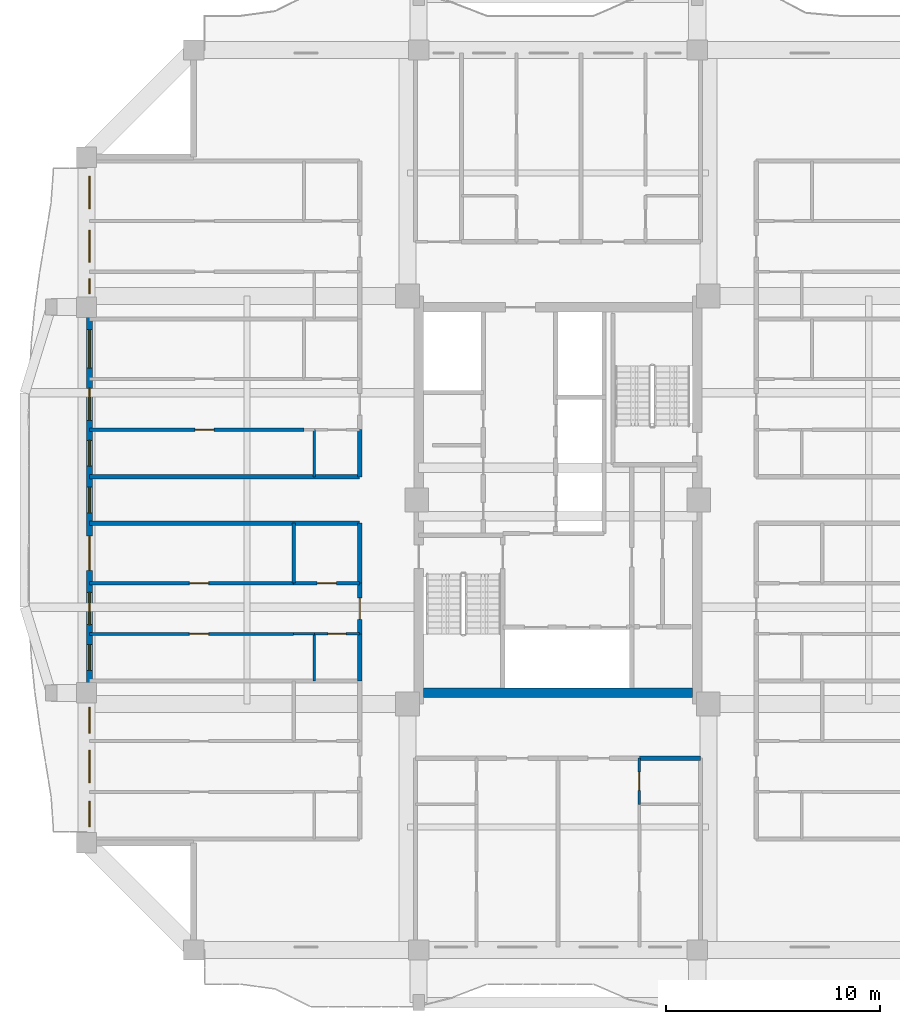
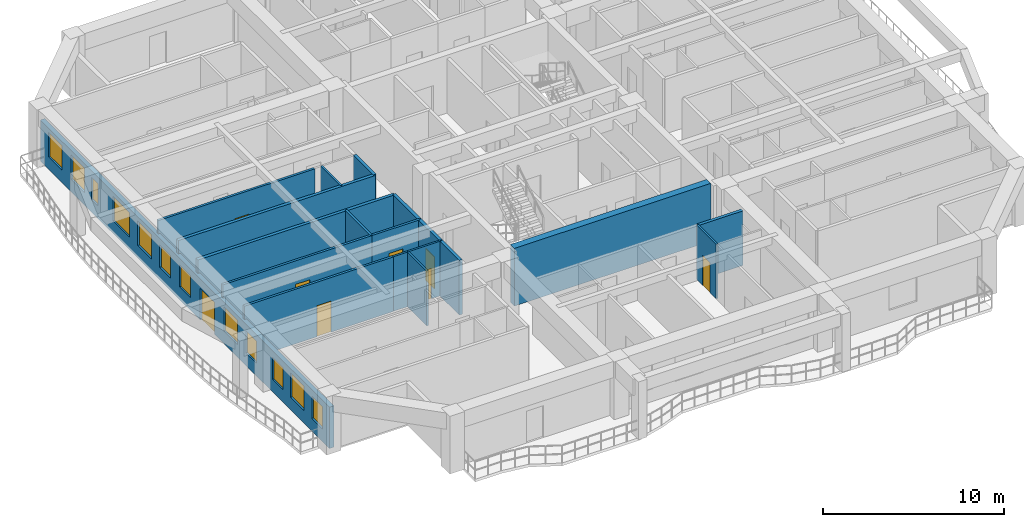
# One storey, part 3 of 15: 19 walls, 12 windows, 8 doors, 20 openings.
"""IFC4 building model written with IfcOpenShell, lengths in metres."""

from ifc_helpers import new_model, si_unit, direction, frame, frame_2d, origin, place, context, subcontext, project, spatial, rectangle, extrude, source, transform, mapped, material, layer, layer_set, type_object, element, fill, save


model = new_model("IFC4")

# Units and contexts
model_context = context("Model", 3, precision=1e-05, world=origin(), true_north=direction((0.0, 1.0)))
body_context = subcontext(model_context, "Body", "Model", "MODEL_VIEW")
ifc_project = project(units=[si_unit("LENGTHUNIT", "METRE"), si_unit("AREAUNIT", "SQUARE_METRE"), si_unit("VOLUMEUNIT", "CUBIC_METRE"), si_unit("PLANEANGLEUNIT", "RADIAN"), si_unit("MASSUNIT", "GRAM", prefix="KILO")], contexts=[model_context])

# Site, building, storey
site_placement = place(None, origin())
site = spatial("IfcSite", under=ifc_project, at=site_placement, CompositionType="ELEMENT")
building_placement = place(site_placement, origin())
building = spatial("IfcBuilding", under=site, at=building_placement, Name="Saelheon Loggia Tower", CompositionType="ELEMENT")
storey_placement = place(building_placement, frame((0.0, 0.0, 159.10009765625)))
storey = spatial("IfcBuildingStorey", under=building, at=storey_placement, Name="L50", CompositionType="ELEMENT", Elevation=159.10009765625)

# Wall
ifc_material_1 = material(Name="Concrete C45/55", Category="concrete")
ifc_layer_1 = layer(ifc_material_1, 0.449951171875)
ifc_layer_set_1 = layer_set([ifc_layer_1], Name="Concrete C45/55")
wall_type_1 = type_object("IfcWallType", Name="Wall_CoreShear_450", PredefinedType="SHEAR", material=ifc_layer_set_1)
wall_1_placement = place(storey_placement, frame((31.72509765625, 18.0, 0.0), z_axis=(0.0, 0.0, 1.0), x_axis=(1.0, 0.0, 0.0)))
element("IfcWall", 1, at=wall_1_placement, inside=storey, type_object=wall_type_1, Name="L50 Core Shear Wall South", PredefinedType="SHEAR", context=body_context, shape_type="SweptSolid", body=[
    extrude(rectangle(XDim=12.5498046875, YDim=0.449951171875, at=frame_2d((6.27490234375, 0.0))), origin(), (0.0, 0.0, 1.0), 3.89990234375),
])

# Wall, openings, windows, door
ifc_material_2 = material(Name="Architectural Precast Concrete C40/50", Category="concrete")
ifc_layer_2 = layer(ifc_material_2, 0.280029296875)
ifc_layer_set_2 = layer_set([ifc_layer_2], Name="Architectural Precast Concrete C40/50")
wall_type_2 = type_object("IfcWallType", Name="Wall_Ext_Loggia_280", PredefinedType="SOLIDWALL", material=ifc_layer_set_2)
wall_2_placement = place(storey_placement, frame((16.139892578125, 11.0, 0.0), z_axis=(0.0, 0.0, 1.0), x_axis=(0.0, 1.0, 0.0)))
wall_2 = element("IfcWall", 2, at=wall_2_placement, inside=storey, type_object=wall_type_2, Name="L50 West Loggia Inner Wall", PredefinedType="SOLIDWALL", context=body_context, shape_type="SweptSolid", body=[
    extrude(rectangle(XDim=32.0, YDim=0.280029296875, at=frame_2d((16.0, 0.0))), origin(), (0.0, 0.0, 1.0), 2.789794921875),
])
opening_1_placement = place(wall_2_placement, frame((0.74755859375, 0.0, 0.85009765625)))
opening_1 = element("IfcOpeningElement", 3, at=opening_1_placement, cuts=wall_2, Name="Opening WN-03", PredefinedType="OPENING", context=body_context, shape_type="SweptSolid", body=[
    extrude(rectangle(XDim=1.199951171875, YDim=1.5, at=frame_2d((0.60009765625, 0.75))), frame((0.0, 0.152099609375, 0.0), z_axis=(0.0, -1.0, 0.0), x_axis=(1.0, 0.0, 0.0)), (0.0, 0.0, 1.0), 0.303955078125),
])
opening_2_placement = place(wall_2_placement, frame((2.814697265625, 0.0, 0.85009765625)))
opening_2 = element("IfcOpeningElement", 4, at=opening_2_placement, cuts=wall_2, Name="Opening WN-02", PredefinedType="OPENING", context=body_context, shape_type="SweptSolid", body=[
    extrude(rectangle(XDim=1.5, YDim=1.64990234375, at=frame_2d((0.75, 0.824951171875))), frame((0.0, 0.152099609375, 0.0), z_axis=(0.0, -1.0, 0.0), x_axis=(1.0, 0.0, 0.0)), (0.0, 0.0, 1.0), 0.303955078125),
])
opening_3_placement = place(wall_2_placement, frame((5.1171875, 0.0, 0.85009765625)))
opening_3 = element("IfcOpeningElement", 5, at=opening_3_placement, cuts=wall_2, Name="Opening WN-03", PredefinedType="OPENING", context=body_context, shape_type="SweptSolid", body=[
    extrude(rectangle(XDim=1.199951171875, YDim=1.5, at=frame_2d((0.60009765625, 0.75))), frame((0.0, 0.152099609375, 0.0), z_axis=(0.0, -1.0, 0.0), x_axis=(1.0, 0.0, 0.0)), (0.0, 0.0, 1.0), 0.303955078125),
])
opening_4_placement = place(wall_2_placement, frame((8.050048828125, 0.0, 0.85009765625)))
opening_4 = element("IfcOpeningElement", 6, at=opening_4_placement, cuts=wall_2, Name="Opening WN-03", PredefinedType="OPENING", context=body_context, shape_type="SweptSolid", body=[
    extrude(rectangle(XDim=1.199951171875, YDim=1.5, at=frame_2d((0.60009765625, 0.75))), frame((0.0, 0.152099609375, 0.0), z_axis=(0.0, -1.0, 0.0), x_axis=(1.0, 0.0, 0.0)), (0.0, 0.0, 1.0), 0.303955078125),
])
opening_5_placement = place(wall_2_placement, frame((10.184814453125, 0.0, 0.85009765625)))
opening_5 = element("IfcOpeningElement", 7, at=opening_5_placement, cuts=wall_2, Name="Opening WN-02", PredefinedType="OPENING", context=body_context, shape_type="SweptSolid", body=[
    extrude(rectangle(XDim=1.5, YDim=1.64990234375, at=frame_2d((0.75, 0.824951171875))), frame((0.0, 0.152099609375, 0.0), z_axis=(0.0, -1.0, 0.0), x_axis=(1.0, 0.0, 0.0)), (0.0, 0.0, 1.0), 0.303955078125),
])
opening_6_placement = place(wall_2_placement, frame((12.7197265625, 0.0, 0.0)))
opening_6 = element("IfcOpeningElement", 8, at=opening_6_placement, cuts=wall_2, Name="Opening DLG-1", PredefinedType="OPENING", context=body_context, shape_type="SweptSolid", body=[
    extrude(rectangle(XDim=1.60009765625, YDim=2.14990234375, at=frame_2d((0.800048828125, 1.074951171875))), frame((0.0, 0.152099609375, 0.0), z_axis=(0.0, -1.0, 0.0), x_axis=(1.0, 0.0, 0.0)), (0.0, 0.0, 1.0), 0.303955078125),
])
opening_7_placement = place(wall_2_placement, frame((15.39990234375, 0.0, 0.85009765625)))
opening_7 = element("IfcOpeningElement", 9, at=opening_7_placement, cuts=wall_2, Name="Opening WN-03", PredefinedType="OPENING", context=body_context, shape_type="SweptSolid", body=[
    extrude(rectangle(XDim=1.199951171875, YDim=1.5, at=frame_2d((0.60009765625, 0.75))), frame((0.0, 0.152099609375, 0.0), z_axis=(0.0, -1.0, 0.0), x_axis=(1.0, 0.0, 0.0)), (0.0, 0.0, 1.0), 0.303955078125),
])
opening_8_placement = place(wall_2_placement, frame((17.580078125, 0.0, 0.85009765625)))
opening_8 = element("IfcOpeningElement", 10, at=opening_8_placement, cuts=wall_2, Name="Opening WN-03", PredefinedType="OPENING", context=body_context, shape_type="SweptSolid", body=[
    extrude(rectangle(XDim=1.199951171875, YDim=1.5, at=frame_2d((0.60009765625, 0.75))), frame((0.0, 0.152099609375, 0.0), z_axis=(0.0, -1.0, 0.0), x_axis=(1.0, 0.0, 0.0)), (0.0, 0.0, 1.0), 0.303955078125),
])
opening_9_placement = place(wall_2_placement, frame((19.714599609375, 0.0, 0.85009765625)))
opening_9 = element("IfcOpeningElement", 11, at=opening_9_placement, cuts=wall_2, Name="Opening WN-02", PredefinedType="OPENING", context=body_context, shape_type="SweptSolid", body=[
    extrude(rectangle(XDim=1.5, YDim=1.64990234375, at=frame_2d((0.75, 0.824951171875))), frame((0.0, 0.152099609375, 0.0), z_axis=(0.0, -1.0, 0.0), x_axis=(1.0, 0.0, 0.0)), (0.0, 0.0, 1.0), 0.303955078125),
])
opening_10_placement = place(wall_2_placement, frame((22.149658203125, 0.0, 0.85009765625)))
opening_10 = element("IfcOpeningElement", 12, at=opening_10_placement, cuts=wall_2, Name="Opening WN-01", PredefinedType="OPENING", context=body_context, shape_type="SweptSolid", body=[
    extrude(rectangle(XDim=1.800048828125, YDim=1.64990234375, at=frame_2d((0.89990234375, 0.824951171875))), frame((0.0, 0.152099609375, 0.0), z_axis=(0.0, -1.0, 0.0), x_axis=(1.0, 0.0, 0.0)), (0.0, 0.0, 1.0), 0.303955078125),
])
opening_11_placement = place(wall_2_placement, frame((25.632568359375, 0.0, 0.85009765625)))
opening_11 = element("IfcOpeningElement", 13, at=opening_11_placement, cuts=wall_2, Name="Opening WN-06", PredefinedType="OPENING", context=body_context, shape_type="SweptSolid", body=[
    extrude(rectangle(XDim=0.699951171875, YDim=1.5, at=frame_2d((0.35009765625, 0.75))), frame((0.0, 0.152099609375, 0.0), z_axis=(0.0, -1.0, 0.0), x_axis=(1.0, 0.0, 0.0)), (0.0, 0.0, 1.0), 0.303955078125),
])
opening_12_placement = place(wall_2_placement, frame((27.084716796875, 0.0, 0.85009765625)))
opening_12 = element("IfcOpeningElement", 14, at=opening_12_placement, cuts=wall_2, Name="Opening WN-02", PredefinedType="OPENING", context=body_context, shape_type="SweptSolid", body=[
    extrude(rectangle(XDim=1.5, YDim=1.64990234375, at=frame_2d((0.75, 0.824951171875))), frame((0.0, 0.152099609375, 0.0), z_axis=(0.0, -1.0, 0.0), x_axis=(1.0, 0.0, 0.0)), (0.0, 0.0, 1.0), 0.303955078125),
])
opening_13_placement = place(wall_2_placement, frame((29.602294921875, 0.0, 0.85009765625)))
opening_13 = element("IfcOpeningElement", 15, at=opening_13_placement, cuts=wall_2, Name="Opening WN-02", PredefinedType="OPENING", context=body_context, shape_type="SweptSolid", body=[
    extrude(rectangle(XDim=1.5, YDim=1.64990234375, at=frame_2d((0.75, 0.824951171875))), frame((0.0, 0.152099609375, 0.0), z_axis=(0.0, -1.0, 0.0), x_axis=(1.0, 0.0, 0.0)), (0.0, 0.0, 1.0), 0.303955078125),
])
ifc_material_3 = material(Name="Thermal-Break Aluminium and Triple Low-E Glass", Category="aluminium")
window_type_1 = type_object("IfcWindowType", Name="Win_Dwelling_1800x1650", PartitioningType="SINGLE_PANEL", PredefinedType="WINDOW", material=ifc_material_3)
shared_shape_1 = source(origin(), body_context, "Body", "SweptSolid", [
    extrude(rectangle(XDim=1.800048828125, YDim=1.64990234375, at=frame_2d((0.89990234375, 0.824951171875))), frame((0.0, 0.030029296875, 0.0), z_axis=(0.0, -1.0, 0.0), x_axis=(1.0, 0.0, 0.0)), (0.0, 0.0, 1.0), 0.06005859375),
])
window_1_placement = place(opening_10_placement, origin())
window_1 = element("IfcWindow", 16, at=window_1_placement, inside=storey, type_object=window_type_1, Name="L50 W Dwelling Window 10", OverallHeight=1.64990234375, OverallWidth=1.800048828125, PartitioningType="SINGLE_PANEL", PredefinedType="WINDOW", context=body_context, shape_type="MappedRepresentation", body=[
    mapped(shared_shape_1, transform((0.0, 0.0, 0.0), scale=1.0)),
])
fill(opening_10, window_1)
window_type_2 = type_object("IfcWindowType", Name="Win_Slot_700x1500", PartitioningType="SINGLE_PANEL", PredefinedType="WINDOW", material=ifc_material_3)
shared_shape_2 = source(origin(), body_context, "Body", "SweptSolid", [
    extrude(rectangle(XDim=0.699951171875, YDim=1.5, at=frame_2d((0.35009765625, 0.75))), frame((0.0, 0.030029296875, 0.0), z_axis=(0.0, -1.0, 0.0), x_axis=(1.0, 0.0, 0.0)), (0.0, 0.0, 1.0), 0.06005859375),
])
window_2_placement = place(opening_11_placement, origin())
window_2 = element("IfcWindow", 17, at=window_2_placement, inside=storey, type_object=window_type_2, Name="L50 W Dwelling Window 11", OverallHeight=1.5, OverallWidth=0.699951171875, PartitioningType="SINGLE_PANEL", PredefinedType="WINDOW", context=body_context, shape_type="MappedRepresentation", body=[
    mapped(shared_shape_2, transform((0.0, 0.0, 0.0), scale=1.0)),
])
fill(opening_11, window_2)
window_type_3 = type_object("IfcWindowType", Name="Win_Bedroom_1200x1500", PartitioningType="SINGLE_PANEL", PredefinedType="WINDOW", material=ifc_material_3)
shared_shape_3 = source(origin(), body_context, "Body", "SweptSolid", [
    extrude(rectangle(XDim=1.199951171875, YDim=1.5, at=frame_2d((0.60009765625, 0.75))), frame((0.0, 0.030029296875, 0.0), z_axis=(0.0, -1.0, 0.0), x_axis=(1.0, 0.0, 0.0)), (0.0, 0.0, 1.0), 0.06005859375),
])
window_3_placement = place(opening_1_placement, origin())
window_3 = element("IfcWindow", 18, at=window_3_placement, inside=storey, type_object=window_type_3, Name="L50 W Dwelling Window 1", OverallHeight=1.5, OverallWidth=1.199951171875, PartitioningType="SINGLE_PANEL", PredefinedType="WINDOW", context=body_context, shape_type="MappedRepresentation", body=[
    mapped(shared_shape_3, transform((0.0, 0.0, 0.0), scale=1.0)),
])
fill(opening_1, window_3)
window_4_placement = place(opening_3_placement, origin())
window_4 = element("IfcWindow", 19, at=window_4_placement, inside=storey, type_object=window_type_3, Name="L50 W Dwelling Window 3", OverallHeight=1.5, OverallWidth=1.199951171875, PartitioningType="SINGLE_PANEL", PredefinedType="WINDOW", context=body_context, shape_type="MappedRepresentation", body=[
    mapped(shared_shape_3, transform((0.0, 0.0, 0.0), scale=1.0)),
])
fill(opening_3, window_4)
window_5_placement = place(opening_4_placement, origin())
window_5 = element("IfcWindow", 20, at=window_5_placement, inside=storey, type_object=window_type_3, Name="L50 W Dwelling Window 4", OverallHeight=1.5, OverallWidth=1.199951171875, PartitioningType="SINGLE_PANEL", PredefinedType="WINDOW", context=body_context, shape_type="MappedRepresentation", body=[
    mapped(shared_shape_3, transform((0.0, 0.0, 0.0), scale=1.0)),
])
fill(opening_4, window_5)
window_6_placement = place(opening_7_placement, origin())
window_6 = element("IfcWindow", 21, at=window_6_placement, inside=storey, type_object=window_type_3, Name="L50 W Dwelling Window 7", OverallHeight=1.5, OverallWidth=1.199951171875, PartitioningType="SINGLE_PANEL", PredefinedType="WINDOW", context=body_context, shape_type="MappedRepresentation", body=[
    mapped(shared_shape_3, transform((0.0, 0.0, 0.0), scale=1.0)),
])
fill(opening_7, window_6)
window_7_placement = place(opening_8_placement, origin())
window_7 = element("IfcWindow", 22, at=window_7_placement, inside=storey, type_object=window_type_3, Name="L50 W Dwelling Window 8", OverallHeight=1.5, OverallWidth=1.199951171875, PartitioningType="SINGLE_PANEL", PredefinedType="WINDOW", context=body_context, shape_type="MappedRepresentation", body=[
    mapped(shared_shape_3, transform((0.0, 0.0, 0.0), scale=1.0)),
])
fill(opening_8, window_7)
ifc_material_4 = material(Name="Thermal-Break Aluminium Sliding Glazed Door", Category="aluminium")
door_type_1 = type_object("IfcDoorType", Name="Door_LoggiaSlide_1600", OperationType="SLIDING_TO_LEFT", PredefinedType="DOOR", material=ifc_material_4)
shared_shape_4 = source(origin(), body_context, "Body", "SweptSolid", [
    extrude(rectangle(XDim=1.60009765625, YDim=2.14990234375, at=frame_2d((0.800048828125, 1.074951171875))), frame((0.0, 0.02490234375, 0.0), z_axis=(0.0, -1.0, 0.0), x_axis=(1.0, 0.0, 0.0)), (0.0, 0.0, 1.0), 0.050048828125),
])
door_1_placement = place(opening_6_placement, origin())
door_1 = element("IfcDoor", 23, at=door_1_placement, inside=storey, type_object=door_type_1, Name="L50 W Loggia Access Door", OperationType="SLIDING_TO_LEFT", OverallHeight=2.14990234375, OverallWidth=1.60009765625, PredefinedType="DOOR", context=body_context, shape_type="MappedRepresentation", body=[
    mapped(shared_shape_4, transform((0.0, 0.0, 0.0), scale=1.0)),
])
fill(opening_6, door_1)
window_type_4 = type_object("IfcWindowType", Name="Win_Dwelling_1500x1650", PartitioningType="SINGLE_PANEL", PredefinedType="WINDOW", material=ifc_material_3)
shared_shape_5 = source(origin(), body_context, "Body", "SweptSolid", [
    extrude(rectangle(XDim=1.5, YDim=1.64990234375, at=frame_2d((0.75, 0.824951171875))), frame((0.0, 0.030029296875, 0.0), z_axis=(0.0, -1.0, 0.0), x_axis=(1.0, 0.0, 0.0)), (0.0, 0.0, 1.0), 0.06005859375),
])
window_8_placement = place(opening_2_placement, origin())
window_8 = element("IfcWindow", 24, at=window_8_placement, inside=storey, type_object=window_type_4, Name="L50 W Dwelling Window 2", OverallHeight=1.64990234375, OverallWidth=1.5, PartitioningType="SINGLE_PANEL", PredefinedType="WINDOW", context=body_context, shape_type="MappedRepresentation", body=[
    mapped(shared_shape_5, transform((0.0, 0.0, 0.0), scale=1.0)),
])
fill(opening_2, window_8)
window_9_placement = place(opening_5_placement, origin())
window_9 = element("IfcWindow", 25, at=window_9_placement, inside=storey, type_object=window_type_4, Name="L50 W Dwelling Window 5", OverallHeight=1.64990234375, OverallWidth=1.5, PartitioningType="SINGLE_PANEL", PredefinedType="WINDOW", context=body_context, shape_type="MappedRepresentation", body=[
    mapped(shared_shape_5, transform((0.0, 0.0, 0.0), scale=1.0)),
])
fill(opening_5, window_9)
window_10_placement = place(opening_9_placement, origin())
window_10 = element("IfcWindow", 26, at=window_10_placement, inside=storey, type_object=window_type_4, Name="L50 W Dwelling Window 9", OverallHeight=1.64990234375, OverallWidth=1.5, PartitioningType="SINGLE_PANEL", PredefinedType="WINDOW", context=body_context, shape_type="MappedRepresentation", body=[
    mapped(shared_shape_5, transform((0.0, 0.0, 0.0), scale=1.0)),
])
fill(opening_9, window_10)
window_11_placement = place(opening_12_placement, origin())
window_11 = element("IfcWindow", 27, at=window_11_placement, inside=storey, type_object=window_type_4, Name="L50 W Dwelling Window 12", OverallHeight=1.64990234375, OverallWidth=1.5, PartitioningType="SINGLE_PANEL", PredefinedType="WINDOW", context=body_context, shape_type="MappedRepresentation", body=[
    mapped(shared_shape_5, transform((0.0, 0.0, 0.0), scale=1.0)),
])
fill(opening_12, window_11)
window_12_placement = place(opening_13_placement, origin())
window_12 = element("IfcWindow", 28, at=window_12_placement, inside=storey, type_object=window_type_4, Name="L50 W Dwelling Window 13", OverallHeight=1.64990234375, OverallWidth=1.5, PartitioningType="SINGLE_PANEL", PredefinedType="WINDOW", context=body_context, shape_type="MappedRepresentation", body=[
    mapped(shared_shape_5, transform((0.0, 0.0, 0.0), scale=1.0)),
])
fill(opening_13, window_12)

# Wall
ifc_material_5 = material(Name="Lightweight Autoclaved Aerated Concrete Block and Acoustic Gypsum", Category="concrete")
ifc_layer_3 = layer(ifc_material_5, 0.14990234375)
ifc_layer_set_3 = layer_set([ifc_layer_3], Name="Lightweight Autoclaved Aerated Concrete Block and Acoustic Gypsum")
wall_type_3 = type_object("IfcWallType", Name="Wall_Part_150", PredefinedType="PARTITIONING", material=ifc_layer_set_3)
wall_3_placement = place(storey_placement, frame((25.669921875, 23.119384765625, 0.0), z_axis=(0.0, 0.0, 1.0), x_axis=(0.0, 1.0, 0.0)))
element("IfcWall", 29, at=wall_3_placement, inside=storey, type_object=wall_type_3, Name="L50 WS Partition V18", PredefinedType="PARTITIONING", context=body_context, shape_type="SweptSolid", body=[
    extrude(rectangle(XDim=2.800537109375, YDim=0.14990234375, at=frame_2d((1.400390625, 0.0))), origin(), (0.0, 0.0, 1.0), 3.68994140625),
])

# Wall, opening, door
wall_4_placement = place(storey_placement, frame((25.669921875, 20.75, 0.0), z_axis=(0.0, 0.0, 1.0), x_axis=(-1.0, 0.0, 0.0)))
wall_4 = element("IfcWall", 30, at=wall_4_placement, inside=storey, type_object=wall_type_3, Name="L50 WS Partition U21", PredefinedType="PARTITIONING", context=body_context, shape_type="SweptSolid", body=[
    extrude(rectangle(XDim=9.52001953125, YDim=0.14990234375, at=frame_2d((4.760009765625, 0.0))), origin(), (0.0, 0.0, 1.0), 3.68994140625),
])
opening_14_placement = place(wall_4_placement, frame((3.970703125, 0.0, 0.0)))
opening_14 = element("IfcOpeningElement", 31, at=opening_14_placement, cuts=wall_4, Name="Opening D-IN2", PredefinedType="OPENING", context=body_context, shape_type="SweptSolid", body=[
    extrude(rectangle(XDim=0.89990234375, YDim=2.10009765625, at=frame_2d((0.449951171875, 1.050048828125))), frame((0.0, 0.0869140625, 0.0), z_axis=(0.0, -1.0, 0.0), x_axis=(1.0, 0.0, 0.0)), (0.0, 0.0, 1.0), 0.173828125),
])
ifc_material_6 = material(Name="Engineered Oak Flush Door", Category="timber")
door_type_2 = type_object("IfcDoorType", Name="Door_Int_900", OperationType="NOTDEFINED", PredefinedType="DOOR", material=ifc_material_6)
shared_shape_6 = source(origin(), body_context, "Body", "SweptSolid", [
    extrude(rectangle(XDim=0.89990234375, YDim=2.10009765625, at=frame_2d((0.449951171875, 1.050048828125))), frame((0.0, 0.02490234375, 0.0), z_axis=(0.0, -1.0, 0.0), x_axis=(1.0, 0.0, 0.0)), (0.0, 0.0, 1.0), 0.050048828125),
])
door_2_placement = place(opening_14_placement, origin())
door_2 = element("IfcDoor", 32, at=door_2_placement, inside=storey, type_object=door_type_2, Name="Unit U06 Kitchen Door", OperationType="SINGLE_SWING_LEFT", OverallHeight=2.10009765625, OverallWidth=0.89990234375, PredefinedType="DOOR", context=body_context, shape_type="MappedRepresentation", body=[
    mapped(shared_shape_6, transform((0.0, 0.0, 0.0), scale=1.0)),
])
fill(opening_14, door_2)

wall_5_placement = place(storey_placement, frame((28.75, 23.119384765625, 0.0), z_axis=(0.0, 0.0, 1.0), x_axis=(-1.0, 0.0, 0.0)))
wall_5 = element("IfcWall", 33, at=wall_5_placement, inside=storey, type_object=wall_type_3, Name="L50 WS Partition U22", PredefinedType="PARTITIONING", context=body_context, shape_type="SweptSolid", body=[
    extrude(rectangle(XDim=3.080078125, YDim=0.14990234375, at=frame_2d((1.5400390625, 0.0))), origin(), (0.0, 0.0, 1.0), 3.68994140625),
])
opening_15_placement = place(wall_5_placement, frame((1.090087890625, 0.0, 0.0)))
opening_15 = element("IfcOpeningElement", 34, at=opening_15_placement, cuts=wall_5, Name="Opening D-IN2", PredefinedType="OPENING", context=body_context, shape_type="SweptSolid", body=[
    extrude(rectangle(XDim=0.89990234375, YDim=2.10009765625, at=frame_2d((0.449951171875, 1.050048828125))), frame((0.0, 0.0869140625, 0.0), z_axis=(0.0, -1.0, 0.0), x_axis=(1.0, 0.0, 0.0)), (0.0, 0.0, 1.0), 0.173828125),
])
door_3_placement = place(opening_15_placement, origin())
door_3 = element("IfcDoor", 35, at=door_3_placement, inside=storey, type_object=door_type_2, Name="Unit U06 Dressing Closet Door", OperationType="SINGLE_SWING_RIGHT", OverallHeight=2.10009765625, OverallWidth=0.89990234375, PredefinedType="DOOR", context=body_context, shape_type="MappedRepresentation", body=[
    mapped(shared_shape_6, transform((0.0, 0.0, 0.0), scale=1.0)),
])
fill(opening_15, door_3)

wall_6_placement = place(storey_placement, frame((25.669921875, 23.119384765625, 0.0), z_axis=(0.0, 0.0, 1.0), x_axis=(-1.0, 0.0, 0.0)))
wall_6 = element("IfcWall", 36, at=wall_6_placement, inside=storey, type_object=wall_type_3, Name="L50 WS Partition U23", PredefinedType="PARTITIONING", context=body_context, shape_type="SweptSolid", body=[
    extrude(rectangle(XDim=9.52001953125, YDim=0.14990234375, at=frame_2d((4.760009765625, 0.0))), origin(), (0.0, 0.0, 1.0), 3.68994140625),
])
opening_16_placement = place(wall_6_placement, frame((3.970703125, 0.0, 0.0)))
opening_16 = element("IfcOpeningElement", 37, at=opening_16_placement, cuts=wall_6, Name="Opening D-IN2", PredefinedType="OPENING", context=body_context, shape_type="SweptSolid", body=[
    extrude(rectangle(XDim=0.89990234375, YDim=2.10009765625, at=frame_2d((0.449951171875, 1.050048828125))), frame((0.0, 0.0869140625, 0.0), z_axis=(0.0, -1.0, 0.0), x_axis=(1.0, 0.0, 0.0)), (0.0, 0.0, 1.0), 0.173828125),
])
door_4_placement = place(opening_16_placement, origin())
door_4 = element("IfcDoor", 38, at=door_4_placement, inside=storey, type_object=door_type_2, Name="Unit U06 Bedroom 1 Door", OperationType="SINGLE_SWING_LEFT", OverallHeight=2.10009765625, OverallWidth=0.89990234375, PredefinedType="DOOR", context=body_context, shape_type="MappedRepresentation", body=[
    mapped(shared_shape_6, transform((0.0, 0.0, 0.0), scale=1.0)),
])
fill(opening_16, door_4)

wall_7_placement = place(storey_placement, frame((26.14990234375, 30.280029296875, 0.0), z_axis=(0.0, 0.0, 1.0), x_axis=(-1.0, 0.0, 0.0)))
wall_7 = element("IfcWall", 39, at=wall_7_placement, inside=storey, type_object=wall_type_3, Name="L50 WN Partition U10", PredefinedType="PARTITIONING", context=body_context, shape_type="SweptSolid", body=[
    extrude(rectangle(XDim=10.0, YDim=0.14990234375, at=frame_2d((5.0, 0.0))), origin(), (0.0, 0.0, 1.0), 3.68994140625),
])
opening_17_placement = place(wall_7_placement, frame((4.19091796875, 0.0, 0.0)))
opening_17 = element("IfcOpeningElement", 40, at=opening_17_placement, cuts=wall_7, Name="Opening D-IN2", PredefinedType="OPENING", context=body_context, shape_type="SweptSolid", body=[
    extrude(rectangle(XDim=0.89990234375, YDim=2.10009765625, at=frame_2d((0.449951171875, 1.050048828125))), frame((0.0, 0.0869140625, 0.0), z_axis=(0.0, -1.0, 0.0), x_axis=(1.0, 0.0, 0.0)), (0.0, 0.0, 1.0), 0.173828125),
])
door_5_placement = place(opening_17_placement, origin())
door_5 = element("IfcDoor", 41, at=door_5_placement, inside=storey, type_object=door_type_2, Name="Unit U07 Kitchen Door", OperationType="SINGLE_SWING_RIGHT", OverallHeight=2.10009765625, OverallWidth=0.89990234375, PredefinedType="DOOR", context=body_context, shape_type="MappedRepresentation", body=[
    mapped(shared_shape_6, transform((0.0, 0.0, 0.0), scale=1.0)),
])
fill(opening_17, door_5)

# Walls
ifc_material_7 = material(Name="Double Acoustic Stud and Fireboard Partition", Category="gypsum")
ifc_layer_4 = layer(ifc_material_7, 0.199951171875)
ifc_layer_set_4 = layer_set([ifc_layer_4], Name="Double Acoustic Stud and Fireboard Partition")
wall_type_4 = type_object("IfcWallType", Name="Wall_Party_200", PredefinedType="PARTITIONING", material=ifc_layer_set_4)
wall_8_placement = place(storey_placement, frame((41.800048828125, 14.949951171875, 0.0), z_axis=(0.0, 0.0, 1.0), x_axis=(1.0, 0.0, 0.0)))
element("IfcWall", 42, at=wall_8_placement, inside=storey, type_object=wall_type_4, Name="L50 S Partition V11", PredefinedType="PARTITIONING", context=body_context, shape_type="SweptSolid", body=[
    extrude(rectangle(XDim=2.849853515625, YDim=0.199951171875, at=frame_2d((1.4248046875, 0.0))), origin(), (0.0, 0.0, 1.0), 3.68994140625),
])
wall_9_placement = place(storey_placement, frame((28.75, 25.919921875, 0.0), z_axis=(0.0, 0.0, 1.0), x_axis=(-1.0, 0.0, 0.0)))
element("IfcWall", 43, at=wall_9_placement, inside=storey, type_object=wall_type_4, Name="L50 WS Partition U02", PredefinedType="PARTITIONING", context=body_context, shape_type="SweptSolid", body=[
    extrude(rectangle(XDim=12.60009765625, YDim=0.199951171875, at=frame_2d((6.300048828125, 0.0))), origin(), (0.0, 0.0, 1.0), 3.68994140625),
])
wall_10_placement = place(storey_placement, frame((28.75, 18.550048828125, 0.0), z_axis=(0.0, 0.0, 1.0), x_axis=(0.0, 1.0, 0.0)))
element("IfcWall", 44, at=wall_10_placement, inside=storey, type_object=wall_type_4, Name="L50 WS Partition V14", PredefinedType="PARTITIONING", context=body_context, shape_type="SweptSolid", body=[
    extrude(rectangle(XDim=2.199951171875, YDim=0.199951171875, at=frame_2d((1.10009765625, 0.0))), origin(), (0.0, 0.0, 1.0), 3.68994140625),
])

# Wall, opening, door
wall_11_placement = place(storey_placement, frame((28.75, 20.75, 0.0), z_axis=(0.0, 0.0, 1.0), x_axis=(0.0, 1.0, 0.0)))
wall_11 = element("IfcWall", 45, at=wall_11_placement, inside=storey, type_object=wall_type_4, Name="L50 WS Partition V15", PredefinedType="PARTITIONING", context=body_context, shape_type="SweptSolid", body=[
    extrude(rectangle(XDim=2.369384765625, YDim=0.199951171875, at=frame_2d((1.1845703125, 0.0))), origin(), (0.0, 0.0, 1.0), 3.68994140625),
])
opening_18_placement = place(wall_11_placement, frame((0.684814453125, 0.0, 0.0)))
opening_18 = element("IfcOpeningElement", 46, at=opening_18_placement, cuts=wall_11, Name="Opening D-FD1", PredefinedType="OPENING", context=body_context, shape_type="SweptSolid", body=[
    extrude(rectangle(XDim=1.0, YDim=2.14990234375, at=frame_2d((0.5, 1.074951171875))), frame((0.0, 0.112060546875, 0.0), z_axis=(0.0, -1.0, 0.0), x_axis=(1.0, 0.0, 0.0)), (0.0, 0.0, 1.0), 0.223876953125),
])
ifc_material_8 = material(Name="Fire-Rated Engineered Timber Entrance Door", Category="wood")
door_type_3 = type_object("IfcDoorType", Name="Door_Flat_FD30S", OperationType="NOTDEFINED", PredefinedType="DOOR", material=ifc_material_8)
shared_shape_7 = source(origin(), body_context, "Body", "SweptSolid", [
    extrude(rectangle(XDim=1.0, YDim=2.14990234375, at=frame_2d((0.5, 1.074951171875))), frame((0.0, 0.02490234375, 0.0), z_axis=(0.0, -1.0, 0.0), x_axis=(1.0, 0.0, 0.0)), (0.0, 0.0, 1.0), 0.050048828125),
])
door_6_placement = place(opening_18_placement, origin())
door_6 = element("IfcDoor", 47, at=door_6_placement, inside=storey, type_object=door_type_3, Name="Unit U06 Entrance Door", OperationType="SINGLE_SWING_LEFT", OverallHeight=2.14990234375, OverallWidth=1.0, PredefinedType="DOOR", context=body_context, shape_type="MappedRepresentation", body=[
    mapped(shared_shape_7, transform((0.0, 0.0, 0.0), scale=1.0)),
])
fill(opening_18, door_6)

# Walls
wall_12_placement = place(storey_placement, frame((28.75, 23.119384765625, 0.0), z_axis=(0.0, 0.0, 1.0), x_axis=(0.0, 1.0, 0.0)))
element("IfcWall", 48, at=wall_12_placement, inside=storey, type_object=wall_type_4, Name="L50 WS Partition V16", PredefinedType="PARTITIONING", context=body_context, shape_type="SweptSolid", body=[
    extrude(rectangle(XDim=2.800537109375, YDim=0.199951171875, at=frame_2d((1.400390625, 0.0))), origin(), (0.0, 0.0, 1.0), 3.68994140625),
])
wall_13_placement = place(storey_placement, frame((28.75, 28.080078125, 0.0), z_axis=(0.0, 0.0, 1.0), x_axis=(-1.0, 0.0, 0.0)))
element("IfcWall", 49, at=wall_13_placement, inside=storey, type_object=wall_type_4, Name="L50 WN Partition U01", PredefinedType="PARTITIONING", context=body_context, shape_type="SweptSolid", body=[
    extrude(rectangle(XDim=12.60009765625, YDim=0.199951171875, at=frame_2d((6.300048828125, 0.0))), origin(), (0.0, 0.0, 1.0), 3.68994140625),
])
wall_14_placement = place(storey_placement, frame((28.75, 28.080078125, 0.0), z_axis=(0.0, 0.0, 1.0), x_axis=(0.0, 1.0, 0.0)))
element("IfcWall", 50, at=wall_14_placement, inside=storey, type_object=wall_type_4, Name="L50 WN Partition V03", PredefinedType="PARTITIONING", context=body_context, shape_type="SweptSolid", body=[
    extrude(rectangle(XDim=2.199951171875, YDim=0.199951171875, at=frame_2d((1.10009765625, 0.0))), origin(), (0.0, 0.0, 1.0), 3.68994140625),
])

# Wall, opening, door
ifc_material_9 = material(Name="Moisture-Resistant Cement Board Partition", Category="gypsum")
ifc_layer_5 = layer(ifc_material_9, 0.1201171875)
ifc_layer_set_5 = layer_set([ifc_layer_5], Name="Moisture-Resistant Cement Board Partition")
wall_type_5 = type_object("IfcWallType", Name="Wall_WetPart_120", PredefinedType="PARTITIONING", material=ifc_layer_set_5)
wall_15_placement = place(storey_placement, frame((41.800048828125, 14.949951171875, 0.0), z_axis=(0.0, 0.0, 1.0), x_axis=(0.0, -1.0, 0.0)))
wall_15 = element("IfcWall", 51, at=wall_15_placement, inside=storey, type_object=wall_type_5, Name="L50 S Partition U12", PredefinedType="PARTITIONING", context=body_context, shape_type="SweptSolid", body=[
    extrude(rectangle(XDim=2.14990234375, YDim=0.1201171875, at=frame_2d((1.074951171875, 0.0))), origin(), (0.0, 0.0, 1.0), 3.68994140625),
])
opening_19_placement = place(wall_15_placement, frame((0.64990234375, 0.0, 0.0)))
opening_19 = element("IfcOpeningElement", 52, at=opening_19_placement, cuts=wall_15, Name="Opening D-BT1", PredefinedType="OPENING", context=body_context, shape_type="SweptSolid", body=[
    extrude(rectangle(XDim=0.85009765625, YDim=2.050048828125, at=frame_2d((0.425048828125, 1.02490234375))), frame((0.0, 0.072021484375, 0.0), z_axis=(0.0, -1.0, 0.0), x_axis=(1.0, 0.0, 0.0)), (0.0, 0.0, 1.0), 0.14404296875),
])
ifc_material_10 = material(Name="Moisture-Resistant Laminate Timber Door", Category="wood")
door_type_4 = type_object("IfcDoorType", Name="Door_Bath_850", OperationType="NOTDEFINED", PredefinedType="DOOR", material=ifc_material_10)
shared_shape_8 = source(origin(), body_context, "Body", "SweptSolid", [
    extrude(rectangle(XDim=0.85009765625, YDim=2.050048828125, at=frame_2d((0.425048828125, 1.02490234375))), frame((0.0, 0.02490234375, 0.0), z_axis=(0.0, -1.0, 0.0), x_axis=(1.0, 0.0, 0.0)), (0.0, 0.0, 1.0), 0.050048828125),
])
door_7_placement = place(opening_19_placement, origin())
door_7 = element("IfcDoor", 53, at=door_7_placement, inside=storey, type_object=door_type_4, Name="Unit U02 Bathroom Door", OperationType="SINGLE_SWING_LEFT", OverallHeight=2.050048828125, OverallWidth=0.85009765625, PredefinedType="DOOR", context=body_context, shape_type="MappedRepresentation", body=[
    mapped(shared_shape_8, transform((0.0, 0.0, 0.0), scale=1.0)),
])
fill(opening_19, door_7)

# Wall
wall_16_placement = place(storey_placement, frame((26.6298828125, 18.550048828125, 0.0), z_axis=(0.0, 0.0, 1.0), x_axis=(0.0, 1.0, 0.0)))
element("IfcWall", 54, at=wall_16_placement, inside=storey, type_object=wall_type_5, Name="L50 WS Partition V17", PredefinedType="PARTITIONING", context=body_context, shape_type="SweptSolid", body=[
    extrude(rectangle(XDim=2.199951171875, YDim=0.1201171875, at=frame_2d((1.10009765625, 0.0))), origin(), (0.0, 0.0, 1.0), 3.68994140625),
])

# Wall, opening, door
wall_17_placement = place(storey_placement, frame((28.75, 20.75, 0.0), z_axis=(0.0, 0.0, 1.0), x_axis=(-1.0, 0.0, 0.0)))
wall_17 = element("IfcWall", 55, at=wall_17_placement, inside=storey, type_object=wall_type_5, Name="L50 WS Partition U19", PredefinedType="PARTITIONING", context=body_context, shape_type="SweptSolid", body=[
    extrude(rectangle(XDim=2.1201171875, YDim=0.1201171875, at=frame_2d((1.06005859375, 0.0))), origin(), (0.0, 0.0, 1.0), 3.68994140625),
])
opening_20_placement = place(wall_17_placement, frame((0.635009765625, 0.0, 0.0)))
opening_20 = element("IfcOpeningElement", 56, at=opening_20_placement, cuts=wall_17, Name="Opening D-BT1", PredefinedType="OPENING", context=body_context, shape_type="SweptSolid", body=[
    extrude(rectangle(XDim=0.85009765625, YDim=2.050048828125, at=frame_2d((0.425048828125, 1.02490234375))), frame((0.0, 0.072021484375, 0.0), z_axis=(0.0, -1.0, 0.0), x_axis=(1.0, 0.0, 0.0)), (0.0, 0.0, 1.0), 0.14404296875),
])
door_8_placement = place(opening_20_placement, origin())
door_8 = element("IfcDoor", 57, at=door_8_placement, inside=storey, type_object=door_type_4, Name="Unit U06 Bathroom Door", OperationType="SINGLE_SWING_RIGHT", OverallHeight=2.050048828125, OverallWidth=0.85009765625, PredefinedType="DOOR", context=body_context, shape_type="MappedRepresentation", body=[
    mapped(shared_shape_8, transform((0.0, 0.0, 0.0), scale=1.0)),
])
fill(opening_20, door_8)

# Walls
wall_18_placement = place(storey_placement, frame((26.6298828125, 20.75, 0.0), z_axis=(0.0, 0.0, 1.0), x_axis=(-1.0, 0.0, 0.0)))
element("IfcWall", 58, at=wall_18_placement, inside=storey, type_object=wall_type_5, Name="L50 WS Partition U20", PredefinedType="PARTITIONING", context=body_context, shape_type="SweptSolid", body=[
    extrude(rectangle(XDim=0.9599609375, YDim=0.1201171875, at=frame_2d((0.47998046875, 0.0))), origin(), (0.0, 0.0, 1.0), 3.68994140625),
])
wall_19_placement = place(storey_placement, frame((26.6298828125, 28.080078125, 0.0), z_axis=(0.0, 0.0, 1.0), x_axis=(0.0, 1.0, 0.0)))
element("IfcWall", 59, at=wall_19_placement, inside=storey, type_object=wall_type_5, Name="L50 WN Partition V06", PredefinedType="PARTITIONING", context=body_context, shape_type="SweptSolid", body=[
    extrude(rectangle(XDim=2.199951171875, YDim=0.1201171875, at=frame_2d((1.10009765625, 0.0))), origin(), (0.0, 0.0, 1.0), 3.68994140625),
])

save(model, "model.ifc")
